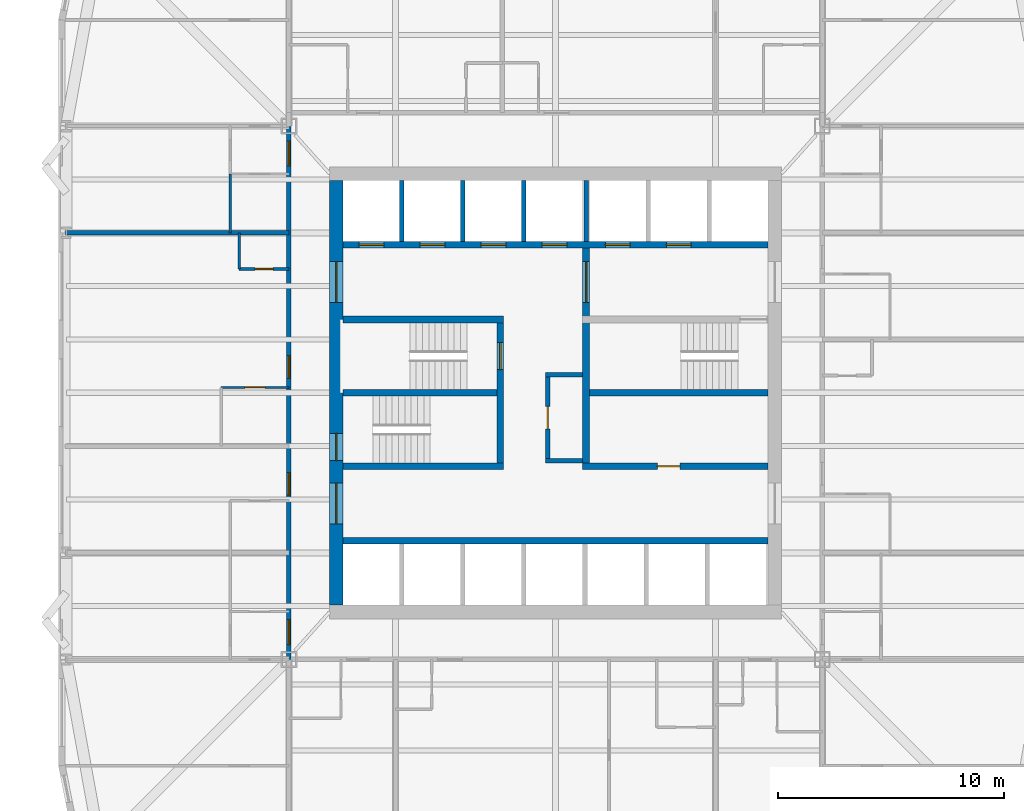
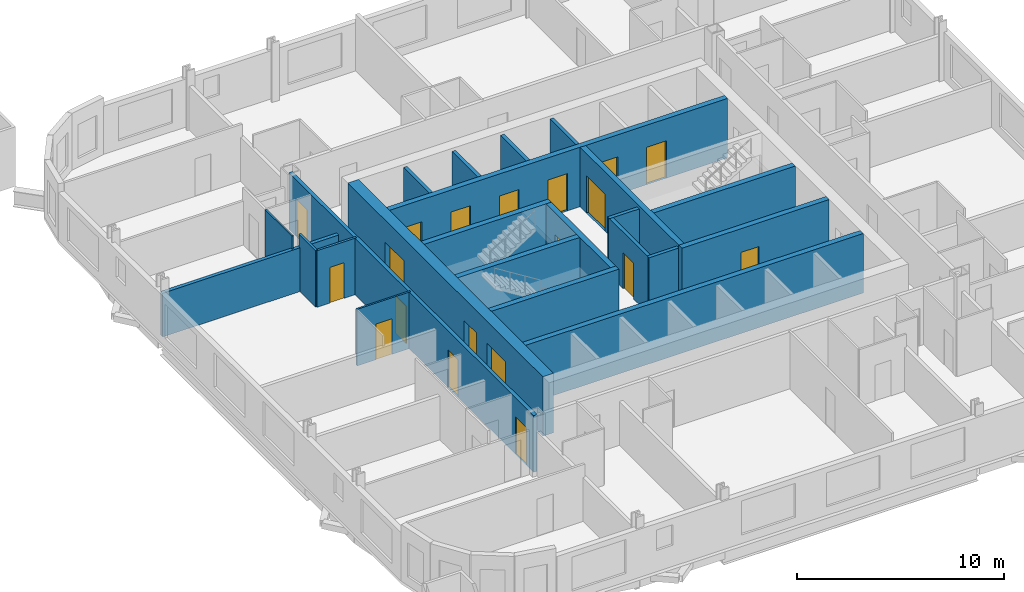
# One storey, part 4 of 9: 23 walls, 19 doors, 19 openings.
"""IFC4 building model written with IfcOpenShell, lengths in metres."""

import ifcopenshell
import ifcopenshell.guid

model = None  # the IFC model being written
_history = None  # IfcOwnerHistory: only IFC2X3 demands one
_inside = {}  # id of a spatial element -> (the spatial element, [elements in it])
_under = {}  # id of a project, library or spatial element -> (it, [spatial elements below it])
_declared = {}  # id of a project -> (the project, [libraries it declares])
_typed = {}  # id of a type object -> (the type object, [elements of that type])
_made_of = {}  # id of a material, layer set ... -> (it, [elements and type objects made of it])


def new_model(schema):
    """Start an empty IFC model of exactly this schema.

    Asked for "IFC4X3", IfcOpenShell would pick the latest addendum, in which some entities
    have other attributes; the version numbers below select the first issue.
    IFC2X3 requires an IfcOwnerHistory on every rooted entity: one is made here for all.
    """
    global model, _history
    if schema == "IFC4X3":
        model = ifcopenshell.file(schema_version=(4, 3, 0, 0))
    else:
        model = ifcopenshell.file(schema=schema)
    _inside.clear()
    _under.clear()
    _declared.clear()
    _typed.clear()
    _made_of.clear()
    _history = None
    if model.schema == "IFC2X3":
        org = make("IfcOrganization", Name="unknown")
        user = make(
            "IfcPersonAndOrganization",
            ThePerson=make("IfcPerson", FamilyName="unknown"),
            TheOrganization=org,
        )
        app = make(
            "IfcApplication",
            ApplicationDeveloper=org,
            Version="unknown",
            ApplicationFullName="unknown",
            ApplicationIdentifier="unknown",
        )
        _history = make(
            "IfcOwnerHistory",
            OwningUser=user,
            OwningApplication=app,
            ChangeAction="ADDED",
            CreationDate=0,
        )
    return model


def make(cls, **values):
    """One entity of the class cls with the attributes given. An attribute that is None is left unset."""
    return model.create_entity(
        cls, **{name: value for name, value in values.items() if value is not None}
    )


def rooted(cls, **values):
    """An entity with a GlobalId (a new one), such as an element, a storey or a relation."""
    return make(cls, GlobalId=ifcopenshell.guid.new(), OwnerHistory=_history, **values)


def si_unit(unit_type, name, prefix=None):
    """IfcSIUnit, for example si_unit("LENGTHUNIT", "METRE", prefix="MILLI")."""
    return make("IfcSIUnit", UnitType=unit_type, Prefix=prefix, Name=name)


def assignment(units):
    """IfcUnitAssignment: the units of a project."""
    return None if units is None else make("IfcUnitAssignment", Units=units)


def point(xyz):
    """IfcCartesianPoint."""
    return None if xyz is None else make("IfcCartesianPoint", Coordinates=xyz)


def direction(xyz):
    """IfcDirection."""
    return None if xyz is None else make("IfcDirection", DirectionRatios=xyz)


def frame(location, z_axis=None, x_axis=None):
    """IfcAxis2Placement3D, a coordinate frame: its origin and axes. An axis left out is left unset."""
    return make(
        "IfcAxis2Placement3D",
        Location=point(location),
        Axis=direction(z_axis),
        RefDirection=direction(x_axis),
    )


def frame_2d(location, x_axis=None):
    """IfcAxis2Placement2D, a coordinate frame in the plane: its origin and x axis."""
    return make(
        "IfcAxis2Placement2D", Location=point(location), RefDirection=direction(x_axis)
    )


def origin():
    """The frame at (0, 0, 0) with its axes left unset."""
    return frame((0.0, 0.0, 0.0))


def place(relative_to, where):
    """IfcLocalPlacement: puts the frame where relative to a parent placement (None: the world)."""
    return make(
        "IfcLocalPlacement", PlacementRelTo=relative_to, RelativePlacement=where
    )


def context(
    kind, dimensions, precision=None, world=None, true_north=None, identifier=None
):
    """IfcGeometricRepresentationContext, for example the 3D "Model" context."""
    return make(
        "IfcGeometricRepresentationContext",
        ContextIdentifier=identifier,
        ContextType=kind,
        CoordinateSpaceDimension=dimensions,
        Precision=precision,
        WorldCoordinateSystem=world,
        TrueNorth=true_north,
    )


def subcontext(parent, identifier, kind, view, scale=None):
    """IfcGeometricRepresentationSubContext, for example "Body" below "Model"."""
    return make(
        "IfcGeometricRepresentationSubContext",
        ContextIdentifier=identifier,
        ContextType=kind,
        ParentContext=parent,
        TargetScale=scale,
        TargetView=view,
    )


def project(units=None, contexts=None):
    """IfcProject with its units and contexts."""
    return rooted(
        "IfcProject",
        Name="project",
        RepresentationContexts=contexts,
        UnitsInContext=assignment(units),
    )


def spatial(cls, under=None, at=None, **own):
    """A site, building, storey or space (cls), placed at a placement, below another one or the project."""
    s = rooted(cls, ObjectPlacement=at, **own)
    if under is not None:
        _under.setdefault(under.id(), (under, []))[1].append(s)
    return s


def profile(cls, at=None, kind="AREA", **sizes):
    """A parametric profile (cls). Its sizes go by their IFC names, for example OverallWidth=200.0."""
    return make(cls, ProfileType=kind, Position=at, **sizes)


def rectangle(**sizes):
    """IfcRectangleProfileDef."""
    return profile("IfcRectangleProfileDef", **sizes)


def extrude(swept, where, along, depth):
    """IfcExtrudedAreaSolid: the profile swept, set in the frame where, extruded along a direction by depth."""
    return make(
        "IfcExtrudedAreaSolid",
        SweptArea=swept,
        Position=where,
        ExtrudedDirection=direction(along),
        Depth=depth,
    )


def shape(context_of_items, identifier, shape_type, items):
    """IfcShapeRepresentation: the items that make up one representation, for example the "Body"."""
    return make(
        "IfcShapeRepresentation",
        ContextOfItems=context_of_items,
        RepresentationIdentifier=identifier,
        RepresentationType=shape_type,
        Items=items,
    )


def material(Name=None, Category=None):
    """IfcMaterial."""
    return make("IfcMaterial", Name=Name, Category=Category)


def layer(
    of_material, thickness, ventilated=None, Name=None, Category=None, Priority=None
):
    """IfcMaterialLayer: one layer of a wall or slab, of a material (None: an air gap)."""
    return make(
        "IfcMaterialLayer",
        Material=of_material,
        LayerThickness=thickness,
        IsVentilated=ventilated,
        Name=Name,
        Category=Category,
        Priority=Priority,
    )


def layer_set(layers, Name=None):
    """IfcMaterialLayerSet."""
    return make("IfcMaterialLayerSet", MaterialLayers=layers, LayerSetName=Name)


def made_of(thing, what):
    """Note that an element or type object is made of a material, layer set ...; save() writes the relation."""
    if what is not None:
        _made_of.setdefault(what.id(), (what, []))[1].append(thing)
    return thing


def type_object(cls, material=None, **own):
    """A type object (cls), such as IfcWallType, which elements share."""
    return made_of(rooted(cls, **own), material)


def element(
    cls,
    number,
    at=None,
    inside=None,
    cuts=None,
    type_object=None,
    material=None,
    context=None,
    identifier="Body",
    shape_type=None,
    held_by="IfcProductDefinitionShape",
    body=None,
    shapes=None,
    **own,
):
    """One element of the class cls, such as IfcWall. Its Tag is "e" and its number.

    at: its placement. inside: the storey or other place that contains it. cuts: it is an
    opening in that element (IfcRelVoidsElement). A single representation is given by context,
    identifier, shape_type and body (its items); several are given by shapes. held_by: the class
    of the entity that holds the representations. save() writes the other relations.
    """
    e = rooted(cls, Tag="e%d" % number, ObjectPlacement=at, **own)
    if body is not None:
        shapes = [shape(context, identifier, shape_type, body)]
    if shapes is not None:
        e.Representation = make(held_by, Representations=shapes)
    if inside is not None:
        _inside.setdefault(inside.id(), (inside, []))[1].append(e)
    if cuts is not None:
        rooted(
            "IfcRelVoidsElement", RelatingBuildingElement=cuts, RelatedOpeningElement=e
        )
    if type_object is not None:
        _typed.setdefault(type_object.id(), (type_object, []))[1].append(e)
    return made_of(e, material)


def fill(opening, filler):
    """IfcRelFillsElement: the door or window that sits in an opening."""
    return rooted(
        "IfcRelFillsElement",
        RelatingOpeningElement=opening,
        RelatedBuildingElement=filler,
    )


def aggregate(whole, parts):
    """IfcRelAggregates: a whole, such as a stair, and the parts it consists of."""
    return rooted("IfcRelAggregates", RelatingObject=whole, RelatedObjects=parts)


def save(model, path):
    """Write the relations noted so far, then the file.

    IfcRelAggregates (storeys below a building ...), IfcRelContainedInSpatialStructure (elements
    in a storey), IfcRelDefinesByType, IfcRelAssociatesMaterial and IfcRelDeclares: one each for
    every whole, place, type object, material and project.
    """
    for whole, parts in _under.values():
        aggregate(whole, parts)
    for where, things in _inside.values():
        rooted(
            "IfcRelContainedInSpatialStructure",
            RelatedElements=things,
            RelatingStructure=where,
        )
    for kind, things in _typed.values():
        rooted("IfcRelDefinesByType", RelatedObjects=things, RelatingType=kind)
    for what, things in _made_of.values():
        rooted("IfcRelAssociatesMaterial", RelatedObjects=things, RelatingMaterial=what)
    for by, libraries in _declared.values():
        rooted("IfcRelDeclares", RelatingContext=by, RelatedDefinitions=libraries)
    model.write(path)


model = new_model("IFC4")

# Units and contexts
model_context = context("Model", 3, precision=1e-05, world=origin(), true_north=direction((0.0, 1.0)))
body_context = subcontext(model_context, "Body", "Model", "MODEL_VIEW")
ifc_project = project(units=[si_unit("LENGTHUNIT", "METRE"), si_unit("AREAUNIT", "SQUARE_METRE"), si_unit("VOLUMEUNIT", "CUBIC_METRE"), si_unit("PLANEANGLEUNIT", "RADIAN"), si_unit("MASSUNIT", "GRAM", prefix="KILO")], contexts=[model_context])

# Site, building, storey
site_placement = place(None, origin())
site = spatial("IfcSite", under=ifc_project, at=site_placement, CompositionType="ELEMENT")
building_placement = place(site_placement, origin())
building = spatial("IfcBuilding", under=site, at=building_placement, Name="Turquesa Mirador Hotel Tower", CompositionType="ELEMENT")
storey_placement = place(building_placement, frame((0.0, 0.0, 42.5)))
storey = spatial("IfcBuildingStorey", under=building, at=storey_placement, Name="L10", CompositionType="ELEMENT", Elevation=42.5)

# Wall, opening, door
ifc_material_1 = material(Name="Gypsum board on steel studs", Category="steel")
ifc_layer_1 = layer(ifc_material_1, 0.10009765625)
ifc_layer_set_1 = layer_set([ifc_layer_1], Name="BATHROOM WALL 100")
wall_type_1 = type_object("IfcWallType", Name="BATHROOM WALL 100", PredefinedType="PARTITIONING", material=ifc_layer_set_1)
wall_1_placement = place(storey_placement, frame((40.199951171875, 45.239990234375, 0.0), z_axis=(0.0, 0.0, 1.0), x_axis=(1.0, 0.0, 0.0)))
wall_1 = element("IfcWall", 1, at=wall_1_placement, inside=storey, type_object=wall_type_1, Name="Partition L10 018", PredefinedType="PARTITIONING", context=body_context, shape_type="SweptSolid", body=[
    extrude(rectangle(XDim=3.0, YDim=0.10009765625, at=frame_2d((1.5, 0.0))), origin(), (0.0, 0.0, 1.0), 3.330078125),
])
opening_1_placement = place(wall_1_placement, frame((1.050048828125, 0.0, 0.0)))
opening_1 = element("IfcOpeningElement", 2, at=opening_1_placement, cuts=wall_1, Name="Opening D02", PredefinedType="OPENING", context=body_context, shape_type="SweptSolid", body=[
    extrude(rectangle(XDim=0.89990234375, YDim=2.10009765625, at=frame_2d((0.449951171875, 1.050048828125))), frame((0.0, 0.06005859375, 0.0), z_axis=(0.0, -1.0, 0.0), x_axis=(1.0, 0.0, 0.0)), (0.0, 0.0, 1.0), 0.1201171875),
])
ifc_material_2 = material(Name="Timber veneered door", Category="wood")
door_type_1 = type_object("IfcDoorType", Name="DOOR 900X2100 EN-SUITE", OperationType="SINGLE_SWING_RIGHT", PredefinedType="DOOR", material=ifc_material_2)
door_1_placement = place(opening_1_placement, origin())
door_1 = element("IfcDoor", 3, at=door_1_placement, inside=storey, type_object=door_type_1, Name="Door 1009B", OperationType="SINGLE_SWING_RIGHT", OverallHeight=2.10009765625, OverallWidth=0.89990234375, PredefinedType="DOOR", context=body_context, shape_type="SweptSolid", body=[
    extrude(rectangle(XDim=0.89990234375, YDim=2.10009765625, at=frame_2d((0.449951171875, 1.050048828125))), frame((0.0, 0.02490234375, 0.0), z_axis=(0.0, -1.0, 0.0), x_axis=(1.0, 0.0, 0.0)), (0.0, 0.0, 1.0), 0.050048828125),
])
fill(opening_1, door_1)

# Wall
wall_2_placement = place(storey_placement, frame((40.60009765625, 52.080078125, 0.0), z_axis=(0.0, 0.0, 1.0), x_axis=(0.0, 1.0, 0.0)))
element("IfcWall", 4, at=wall_2_placement, inside=storey, type_object=wall_type_1, Name="Partition L10 042", PredefinedType="PARTITIONING", context=body_context, shape_type="SweptSolid", body=[
    extrude(rectangle(XDim=2.599853515625, YDim=0.10009765625, at=frame_2d((1.2998046875, 0.0))), origin(), (0.0, 0.0, 1.0), 3.330078125),
])

# Wall, openings, doors
ifc_material_3 = material(Name="Concrete C50/60", Category="concrete")
ifc_layer_2 = layer(ifc_material_3, 0.300048828125)
ifc_layer_set_2 = layer_set([ifc_layer_2], Name="CORE INNER WALL 300")
wall_type_2 = type_object("IfcWallType", Name="CORE INNER WALL 300", PredefinedType="SHEAR", material=ifc_layer_set_2)
wall_3_placement = place(storey_placement, frame((45.60009765625, 51.550048828125, 0.0), z_axis=(0.0, 0.0, 1.0), x_axis=(1.0, 0.0, 0.0)))
wall_3 = element("IfcWall", 5, at=wall_3_placement, inside=storey, type_object=wall_type_2, Name="Core wall NL", PredefinedType="SHEAR", context=body_context, shape_type="SweptSolid", body=[
    extrude(rectangle(XDim=18.7998046875, YDim=0.300048828125, at=frame_2d((9.39990234375, 0.0))), origin(), (0.0, 0.0, 1.0), 3.5),
])
opening_2_placement = place(wall_3_placement, frame((0.699951171875, 0.0, 0.0)))
opening_2 = element("IfcOpeningElement", 6, at=opening_2_placement, cuts=wall_3, Name="Opening LD", PredefinedType="OPENING", context=body_context, shape_type="SweptSolid", body=[
    extrude(rectangle(XDim=1.10009765625, YDim=2.199951171875, at=frame_2d((0.550048828125, 1.10009765625))), frame((0.0, 0.159912109375, 0.0), z_axis=(0.0, -1.0, 0.0), x_axis=(1.0, 0.0, 0.0)), (0.0, 0.0, 1.0), 0.320068359375),
])
opening_3_placement = place(wall_3_placement, frame((3.39990234375, 0.0, 0.0)))
opening_3 = element("IfcOpeningElement", 7, at=opening_3_placement, cuts=wall_3, Name="Opening LD", PredefinedType="OPENING", context=body_context, shape_type="SweptSolid", body=[
    extrude(rectangle(XDim=1.10009765625, YDim=2.199951171875, at=frame_2d((0.550048828125, 1.10009765625))), frame((0.0, 0.159912109375, 0.0), z_axis=(0.0, -1.0, 0.0), x_axis=(1.0, 0.0, 0.0)), (0.0, 0.0, 1.0), 0.320068359375),
])
opening_4_placement = place(wall_3_placement, frame((6.10009765625, 0.0, 0.0)))
opening_4 = element("IfcOpeningElement", 8, at=opening_4_placement, cuts=wall_3, Name="Opening LD", PredefinedType="OPENING", context=body_context, shape_type="SweptSolid", body=[
    extrude(rectangle(XDim=1.10009765625, YDim=2.199951171875, at=frame_2d((0.550048828125, 1.10009765625))), frame((0.0, 0.159912109375, 0.0), z_axis=(0.0, -1.0, 0.0), x_axis=(1.0, 0.0, 0.0)), (0.0, 0.0, 1.0), 0.320068359375),
])
opening_5_placement = place(wall_3_placement, frame((8.800048828125, 0.0, 0.0)))
opening_5 = element("IfcOpeningElement", 9, at=opening_5_placement, cuts=wall_3, Name="Opening LD", PredefinedType="OPENING", context=body_context, shape_type="SweptSolid", body=[
    extrude(rectangle(XDim=1.10009765625, YDim=2.199951171875, at=frame_2d((0.550048828125, 1.10009765625))), frame((0.0, 0.159912109375, 0.0), z_axis=(0.0, -1.0, 0.0), x_axis=(1.0, 0.0, 0.0)), (0.0, 0.0, 1.0), 0.320068359375),
])
opening_6_placement = place(wall_3_placement, frame((11.60009765625, 0.0, 0.0)))
opening_6 = element("IfcOpeningElement", 10, at=opening_6_placement, cuts=wall_3, Name="Opening LD", PredefinedType="OPENING", context=body_context, shape_type="SweptSolid", body=[
    extrude(rectangle(XDim=1.10009765625, YDim=2.199951171875, at=frame_2d((0.550048828125, 1.10009765625))), frame((0.0, 0.159912109375, 0.0), z_axis=(0.0, -1.0, 0.0), x_axis=(1.0, 0.0, 0.0)), (0.0, 0.0, 1.0), 0.320068359375),
])
opening_7_placement = place(wall_3_placement, frame((14.300048828125, 0.0, 0.0)))
opening_7 = element("IfcOpeningElement", 11, at=opening_7_placement, cuts=wall_3, Name="Opening LD", PredefinedType="OPENING", context=body_context, shape_type="SweptSolid", body=[
    extrude(rectangle(XDim=1.10009765625, YDim=2.199951171875, at=frame_2d((0.550048828125, 1.10009765625))), frame((0.0, 0.159912109375, 0.0), z_axis=(0.0, -1.0, 0.0), x_axis=(1.0, 0.0, 0.0)), (0.0, 0.0, 1.0), 0.320068359375),
])
ifc_material_4 = material(Name="Stainless steel lift landing door", Category="steel")
door_type_2 = type_object("IfcDoorType", Name="LIFT LANDING DOOR 1100X2200", OperationType="SLIDING_TO_LEFT", PredefinedType="DOOR", material=ifc_material_4)
door_2_placement = place(opening_2_placement, origin())
door_2 = element("IfcDoor", 12, at=door_2_placement, inside=storey, type_object=door_type_2, Name="Lift A1 landing door", OperationType="SLIDING_TO_LEFT", OverallHeight=2.199951171875, OverallWidth=1.10009765625, PredefinedType="DOOR", context=body_context, shape_type="SweptSolid", body=[
    extrude(rectangle(XDim=1.10009765625, YDim=2.199951171875, at=frame_2d((0.550048828125, 1.10009765625))), frame((0.0, 0.02490234375, 0.0), z_axis=(0.0, -1.0, 0.0), x_axis=(1.0, 0.0, 0.0)), (0.0, 0.0, 1.0), 0.050048828125),
])
fill(opening_2, door_2)
door_3_placement = place(opening_3_placement, origin())
door_3 = element("IfcDoor", 13, at=door_3_placement, inside=storey, type_object=door_type_2, Name="Lift A2 landing door", OperationType="SLIDING_TO_LEFT", OverallHeight=2.199951171875, OverallWidth=1.10009765625, PredefinedType="DOOR", context=body_context, shape_type="SweptSolid", body=[
    extrude(rectangle(XDim=1.10009765625, YDim=2.199951171875, at=frame_2d((0.550048828125, 1.10009765625))), frame((0.0, 0.02490234375, 0.0), z_axis=(0.0, -1.0, 0.0), x_axis=(1.0, 0.0, 0.0)), (0.0, 0.0, 1.0), 0.050048828125),
])
fill(opening_3, door_3)
door_4_placement = place(opening_4_placement, origin())
door_4 = element("IfcDoor", 14, at=door_4_placement, inside=storey, type_object=door_type_2, Name="Lift A3 landing door", OperationType="SLIDING_TO_LEFT", OverallHeight=2.199951171875, OverallWidth=1.10009765625, PredefinedType="DOOR", context=body_context, shape_type="SweptSolid", body=[
    extrude(rectangle(XDim=1.10009765625, YDim=2.199951171875, at=frame_2d((0.550048828125, 1.10009765625))), frame((0.0, 0.02490234375, 0.0), z_axis=(0.0, -1.0, 0.0), x_axis=(1.0, 0.0, 0.0)), (0.0, 0.0, 1.0), 0.050048828125),
])
fill(opening_4, door_4)
door_5_placement = place(opening_5_placement, origin())
door_5 = element("IfcDoor", 15, at=door_5_placement, inside=storey, type_object=door_type_2, Name="Lift A4 landing door", OperationType="SLIDING_TO_LEFT", OverallHeight=2.199951171875, OverallWidth=1.10009765625, PredefinedType="DOOR", context=body_context, shape_type="SweptSolid", body=[
    extrude(rectangle(XDim=1.10009765625, YDim=2.199951171875, at=frame_2d((0.550048828125, 1.10009765625))), frame((0.0, 0.02490234375, 0.0), z_axis=(0.0, -1.0, 0.0), x_axis=(1.0, 0.0, 0.0)), (0.0, 0.0, 1.0), 0.050048828125),
])
fill(opening_5, door_5)
door_6_placement = place(opening_6_placement, origin())
door_6 = element("IfcDoor", 16, at=door_6_placement, inside=storey, type_object=door_type_2, Name="Lift S1 landing door", OperationType="SLIDING_TO_LEFT", OverallHeight=2.199951171875, OverallWidth=1.10009765625, PredefinedType="DOOR", context=body_context, shape_type="SweptSolid", body=[
    extrude(rectangle(XDim=1.10009765625, YDim=2.199951171875, at=frame_2d((0.550048828125, 1.10009765625))), frame((0.0, 0.02490234375, 0.0), z_axis=(0.0, -1.0, 0.0), x_axis=(1.0, 0.0, 0.0)), (0.0, 0.0, 1.0), 0.050048828125),
])
fill(opening_6, door_6)
door_7_placement = place(opening_7_placement, origin())
door_7 = element("IfcDoor", 17, at=door_7_placement, inside=storey, type_object=door_type_2, Name="Lift S2 landing door", OperationType="SLIDING_TO_LEFT", OverallHeight=2.199951171875, OverallWidth=1.10009765625, PredefinedType="DOOR", context=body_context, shape_type="SweptSolid", body=[
    extrude(rectangle(XDim=1.10009765625, YDim=2.199951171875, at=frame_2d((0.550048828125, 1.10009765625))), frame((0.0, 0.02490234375, 0.0), z_axis=(0.0, -1.0, 0.0), x_axis=(1.0, 0.0, 0.0)), (0.0, 0.0, 1.0), 0.050048828125),
])
fill(opening_7, door_7)

# Walls
wall_4_placement = place(storey_placement, frame((45.60009765625, 38.449951171875, 0.0), z_axis=(0.0, 0.0, 1.0), x_axis=(1.0, 0.0, 0.0)))
element("IfcWall", 18, at=wall_4_placement, inside=storey, type_object=wall_type_2, Name="Core wall SL", PredefinedType="SHEAR", context=body_context, shape_type="SweptSolid", body=[
    extrude(rectangle(XDim=18.7998046875, YDim=0.300048828125, at=frame_2d((9.39990234375, 0.0))), origin(), (0.0, 0.0, 1.0), 3.5),
])
for number, where, z_axis, x_axis, name in (
    (19, (45.60009765625, 48.25, 0.0), (0.0, 0.0, 1.0), (1.0, 0.0, 0.0), "Core wall MN-W"),
    (20, (45.60009765625, 41.75, 0.0), (0.0, 0.0, 1.0), (1.0, 0.0, 0.0), "Core wall MS-W"),
):
    element("IfcWall", number, at=place(storey_placement, frame(where, z_axis=z_axis, x_axis=x_axis)), inside=storey, type_object=wall_type_2, Name=name, PredefinedType="SHEAR", context=body_context, shape_type="SweptSolid", body=[
        extrude(rectangle(XDim=7.099853515625, YDim=0.300048828125, at=frame_2d((3.5498046875, 0.0))), origin(), (0.0, 0.0, 1.0), 3.5),
    ])

# Wall, opening, door
wall_5_placement = place(storey_placement, frame((56.199951171875, 41.75, 0.0), z_axis=(0.0, 0.0, 1.0), x_axis=(1.0, 0.0, 0.0)))
wall_5 = element("IfcWall", 21, at=wall_5_placement, inside=storey, type_object=wall_type_2, Name="Core wall MS-E", PredefinedType="SHEAR", context=body_context, shape_type="SweptSolid", body=[
    extrude(rectangle(XDim=8.199951171875, YDim=0.300048828125, at=frame_2d((4.10009765625, 0.0))), origin(), (0.0, 0.0, 1.0), 3.5),
])
opening_8_placement = place(wall_5_placement, frame((3.300048828125, 0.0, 0.0)))
opening_8 = element("IfcOpeningElement", 22, at=opening_8_placement, cuts=wall_5, Name="Opening D05", PredefinedType="OPENING", context=body_context, shape_type="SweptSolid", body=[
    extrude(rectangle(XDim=1.0, YDim=2.10009765625, at=frame_2d((0.5, 1.050048828125))), frame((0.0, 0.159912109375, 0.0), z_axis=(0.0, -1.0, 0.0), x_axis=(1.0, 0.0, 0.0)), (0.0, 0.0, 1.0), 0.320068359375),
])
ifc_material_5 = material(Name="Steel fire door", Category="steel")
door_type_3 = type_object("IfcDoorType", Name="DOOR 1000X2100 SERVICE", OperationType="SINGLE_SWING_LEFT", PredefinedType="DOOR", material=ifc_material_5)
door_8_placement = place(opening_8_placement, origin())
door_8 = element("IfcDoor", 23, at=door_8_placement, inside=storey, type_object=door_type_3, Name="Housekeeping room door", OperationType="SINGLE_SWING_LEFT", OverallHeight=2.10009765625, OverallWidth=1.0, PredefinedType="DOOR", context=body_context, shape_type="SweptSolid", body=[
    extrude(rectangle(XDim=1.0, YDim=2.10009765625, at=frame_2d((0.5, 1.050048828125))), frame((0.0, 0.02490234375, 0.0), z_axis=(0.0, -1.0, 0.0), x_axis=(1.0, 0.0, 0.0)), (0.0, 0.0, 1.0), 0.050048828125),
])
fill(opening_8, door_8)

wall_6_placement = place(storey_placement, frame((52.550048828125, 41.89990234375, 0.0), z_axis=(0.0, 0.0, 1.0), x_axis=(0.0, 1.0, 0.0)))
wall_6 = element("IfcWall", 24, at=wall_6_placement, inside=storey, type_object=wall_type_2, Name="Core wall PW", PredefinedType="SHEAR", context=body_context, shape_type="SweptSolid", body=[
    extrude(rectangle(XDim=6.2001953125, YDim=0.300048828125, at=frame_2d((3.10009765625, 0.0))), origin(), (0.0, 0.0, 1.0), 3.5),
])
opening_9_placement = place(wall_6_placement, frame((4.125, 0.0, 0.0)))
opening_9 = element("IfcOpeningElement", 25, at=opening_9_placement, cuts=wall_6, Name="Opening D03", PredefinedType="OPENING", context=body_context, shape_type="SweptSolid", body=[
    extrude(rectangle(XDim=1.199951171875, YDim=2.199951171875, at=frame_2d((0.60009765625, 1.10009765625))), frame((0.0, 0.159912109375, 0.0), z_axis=(0.0, -1.0, 0.0), x_axis=(1.0, 0.0, 0.0)), (0.0, 0.0, 1.0), 0.320068359375),
])
ifc_material_6 = material(Name="Steel fire door", Category="steel")
door_type_4 = type_object("IfcDoorType", Name="DOOR 1200X2200 STAIR", OperationType="SINGLE_SWING_LEFT", PredefinedType="DOOR", material=ifc_material_6)
door_9_placement = place(opening_9_placement, origin())
door_9 = element("IfcDoor", 26, at=door_9_placement, inside=storey, type_object=door_type_4, Name="Stair ST1 door", OperationType="SINGLE_SWING_LEFT", OverallHeight=2.199951171875, OverallWidth=1.199951171875, PredefinedType="DOOR", context=body_context, shape_type="SweptSolid", body=[
    extrude(rectangle(XDim=1.199951171875, YDim=2.199951171875, at=frame_2d((0.60009765625, 1.10009765625))), frame((0.0, 0.02490234375, 0.0), z_axis=(0.0, -1.0, 0.0), x_axis=(1.0, 0.0, 0.0)), (0.0, 0.0, 1.0), 0.050048828125),
])
fill(opening_9, door_9)

wall_7_placement = place(storey_placement, frame((56.35009765625, 41.89990234375, 0.0), z_axis=(0.0, 0.0, 1.0), x_axis=(0.0, 1.0, 0.0)))
wall_7 = element("IfcWall", 27, at=wall_7_placement, inside=storey, type_object=wall_type_2, Name="Core wall PE", PredefinedType="SHEAR", context=body_context, shape_type="SweptSolid", body=[
    extrude(rectangle(XDim=9.5, YDim=0.300048828125, at=frame_2d((4.75, 0.0))), origin(), (0.0, 0.0, 1.0), 3.5),
])
opening_10_placement = place(wall_7_placement, frame((7.10009765625, 0.0, 0.0)))
opening_10 = element("IfcOpeningElement", 28, at=opening_10_placement, cuts=wall_7, Name="Opening D04", PredefinedType="OPENING", context=body_context, shape_type="SweptSolid", body=[
    extrude(rectangle(XDim=1.800048828125, YDim=2.199951171875, at=frame_2d((0.89990234375, 1.10009765625))), frame((0.0, 0.159912109375, 0.0), z_axis=(0.0, -1.0, 0.0), x_axis=(1.0, 0.0, 0.0)), (0.0, 0.0, 1.0), 0.320068359375),
])
ifc_material_7 = material(Name="Steel fire door pair", Category="steel")
door_type_5 = type_object("IfcDoorType", Name="DOOR 1800X2200 PAIR", OperationType="DOUBLE_DOOR_SINGLE_SWING", PredefinedType="DOOR", material=ifc_material_7)
door_10_placement = place(opening_10_placement, origin())
door_10 = element("IfcDoor", 29, at=door_10_placement, inside=storey, type_object=door_type_5, Name="Firefighting lobby inner door", OperationType="DOUBLE_DOOR_SINGLE_SWING", OverallHeight=2.199951171875, OverallWidth=1.800048828125, PredefinedType="DOOR", context=body_context, shape_type="SweptSolid", body=[
    extrude(rectangle(XDim=1.800048828125, YDim=2.199951171875, at=frame_2d((0.89990234375, 1.10009765625))), frame((0.0, 0.02490234375, 0.0), z_axis=(0.0, -1.0, 0.0), x_axis=(1.0, 0.0, 0.0)), (0.0, 0.0, 1.0), 0.050048828125),
])
fill(opening_10, door_10)

# Walls
wall_8_placement = place(storey_placement, frame((45.60009765625, 45.0, 0.0), z_axis=(0.0, 0.0, 1.0), x_axis=(1.0, 0.0, 0.0)))
element("IfcWall", 30, at=wall_8_placement, inside=storey, type_object=wall_type_2, Name="Core wall M0-W", PredefinedType="SHEAR", context=body_context, shape_type="SweptSolid", body=[
    extrude(rectangle(XDim=6.7998046875, YDim=0.300048828125, at=frame_2d((3.39990234375, 0.0))), origin(), (0.0, 0.0, 1.0), 3.5),
])
wall_9_placement = place(storey_placement, frame((56.5, 45.0, 0.0), z_axis=(0.0, 0.0, 1.0), x_axis=(1.0, 0.0, 0.0)))
element("IfcWall", 31, at=wall_9_placement, inside=storey, type_object=wall_type_2, Name="Core wall M0-E", PredefinedType="SHEAR", context=body_context, shape_type="SweptSolid", body=[
    extrude(rectangle(XDim=7.89990234375, YDim=0.300048828125, at=frame_2d((3.949951171875, 0.0))), origin(), (0.0, 0.0, 1.0), 3.5),
])

# Wall, openings, doors
ifc_material_8 = material(Name="Concrete C50/60", Category="concrete")
ifc_layer_3 = layer(ifc_material_8, 0.60009765625)
ifc_layer_set_3 = layer_set([ifc_layer_3], Name="CORE WALL 600")
wall_type_3 = type_object("IfcWallType", Name="CORE WALL 600", PredefinedType="SHEAR", material=ifc_layer_set_3)
wall_10_placement = place(storey_placement, frame((45.300048828125, 35.60009765625, 0.0), z_axis=(0.0, 0.0, 1.0), x_axis=(0.0, 1.0, 0.0)))
wall_10 = element("IfcWall", 32, at=wall_10_placement, inside=storey, type_object=wall_type_3, Name="Core wall W", PredefinedType="SHEAR", context=body_context, shape_type="SweptSolid", body=[
    extrude(rectangle(XDim=18.7998046875, YDim=0.60009765625, at=frame_2d((9.39990234375, 0.0))), origin(), (0.0, 0.0, 1.0), 3.5),
])
opening_11_placement = place(wall_10_placement, frame((13.39990234375, 0.0, 0.0)))
opening_11 = element("IfcOpeningElement", 33, at=opening_11_placement, cuts=wall_10, Name="Opening D04", PredefinedType="OPENING", context=body_context, shape_type="SweptSolid", body=[
    extrude(rectangle(XDim=1.800048828125, YDim=2.199951171875, at=frame_2d((0.89990234375, 1.10009765625))), frame((0.0, 0.31005859375, 0.0), z_axis=(0.0, -1.0, 0.0), x_axis=(1.0, 0.0, 0.0)), (0.0, 0.0, 1.0), 0.6201171875),
])
opening_12_placement = place(wall_10_placement, frame((3.60009765625, 0.0, 0.0)))
opening_12 = element("IfcOpeningElement", 34, at=opening_12_placement, cuts=wall_10, Name="Opening D04", PredefinedType="OPENING", context=body_context, shape_type="SweptSolid", body=[
    extrude(rectangle(XDim=1.800048828125, YDim=2.199951171875, at=frame_2d((0.89990234375, 1.10009765625))), frame((0.0, 0.31005859375, 0.0), z_axis=(0.0, -1.0, 0.0), x_axis=(1.0, 0.0, 0.0)), (0.0, 0.0, 1.0), 0.6201171875),
])
opening_13_placement = place(wall_10_placement, frame((6.39990234375, 0.0, 0.0)))
opening_13 = element("IfcOpeningElement", 35, at=opening_13_placement, cuts=wall_10, Name="Opening D03", PredefinedType="OPENING", context=body_context, shape_type="SweptSolid", body=[
    extrude(rectangle(XDim=1.199951171875, YDim=2.199951171875, at=frame_2d((0.60009765625, 1.10009765625))), frame((0.0, 0.31005859375, 0.0), z_axis=(0.0, -1.0, 0.0), x_axis=(1.0, 0.0, 0.0)), (0.0, 0.0, 1.0), 0.6201171875),
])
door_11_placement = place(opening_13_placement, origin())
door_11 = element("IfcDoor", 36, at=door_11_placement, inside=storey, type_object=door_type_4, Name="Stair ST2 door", OperationType="SINGLE_SWING_LEFT", OverallHeight=2.199951171875, OverallWidth=1.199951171875, PredefinedType="DOOR", context=body_context, shape_type="SweptSolid", body=[
    extrude(rectangle(XDim=1.199951171875, YDim=2.199951171875, at=frame_2d((0.60009765625, 1.10009765625))), frame((0.0, 0.02490234375, 0.0), z_axis=(0.0, -1.0, 0.0), x_axis=(1.0, 0.0, 0.0)), (0.0, 0.0, 1.0), 0.050048828125),
])
fill(opening_13, door_11)
door_12_placement = place(opening_11_placement, origin())
door_12 = element("IfcDoor", 37, at=door_12_placement, inside=storey, type_object=door_type_5, Name="North lift lobby door", OperationType="DOUBLE_DOOR_SINGLE_SWING", OverallHeight=2.199951171875, OverallWidth=1.800048828125, PredefinedType="DOOR", context=body_context, shape_type="SweptSolid", body=[
    extrude(rectangle(XDim=1.800048828125, YDim=2.199951171875, at=frame_2d((0.89990234375, 1.10009765625))), frame((0.0, 0.02490234375, 0.0), z_axis=(0.0, -1.0, 0.0), x_axis=(1.0, 0.0, 0.0)), (0.0, 0.0, 1.0), 0.050048828125),
])
fill(opening_11, door_12)
door_13_placement = place(opening_12_placement, origin())
door_13 = element("IfcDoor", 38, at=door_13_placement, inside=storey, type_object=door_type_5, Name="South lift lobby door", OperationType="DOUBLE_DOOR_SINGLE_SWING", OverallHeight=2.199951171875, OverallWidth=1.800048828125, PredefinedType="DOOR", context=body_context, shape_type="SweptSolid", body=[
    extrude(rectangle(XDim=1.800048828125, YDim=2.199951171875, at=frame_2d((0.89990234375, 1.10009765625))), frame((0.0, 0.02490234375, 0.0), z_axis=(0.0, -1.0, 0.0), x_axis=(1.0, 0.0, 0.0)), (0.0, 0.0, 1.0), 0.050048828125),
])
fill(opening_12, door_13)

ifc_material_9 = material(Name="Fire-rated gypsum board on steel studs", Category="steel")
ifc_layer_4 = layer(ifc_material_9, 0.199951171875)
ifc_layer_set_4 = layer_set([ifc_layer_4], Name="CORRIDOR WALL 200")
wall_type_4 = type_object("IfcWallType", Name="CORRIDOR WALL 200", PredefinedType="PARTITIONING", material=ifc_layer_set_4)
wall_11_placement = place(storey_placement, frame((43.199951171875, 33.199951171875, 0.0), z_axis=(0.0, 0.0, 1.0), x_axis=(0.0, 1.0, 0.0)))
wall_11 = element("IfcWall", 39, at=wall_11_placement, inside=storey, type_object=wall_type_4, Name="Partition L10 037", PredefinedType="PARTITIONING", context=body_context, shape_type="SweptSolid", body=[
    extrude(rectangle(XDim=23.580078125, YDim=0.199951171875, at=frame_2d((11.7900390625, 0.0))), origin(), (0.0, 0.0, 1.0), 3.330078125),
])
opening_14_placement = place(wall_11_placement, frame((7.27001953125, 0.0, 0.0)))
opening_14 = element("IfcOpeningElement", 40, at=opening_14_placement, cuts=wall_11, Name="Opening D01", PredefinedType="OPENING", context=body_context, shape_type="SweptSolid", body=[
    extrude(rectangle(XDim=1.0, YDim=2.199951171875, at=frame_2d((0.5, 1.10009765625))), frame((0.0, 0.10986328125, 0.0), z_axis=(0.0, -1.0, 0.0), x_axis=(1.0, 0.0, 0.0)), (0.0, 0.0, 1.0), 0.219970703125),
])
opening_15_placement = place(wall_11_placement, frame((12.43994140625, 0.0, 0.0)))
opening_15 = element("IfcOpeningElement", 41, at=opening_15_placement, cuts=wall_11, Name="Opening D01", PredefinedType="OPENING", context=body_context, shape_type="SweptSolid", body=[
    extrude(rectangle(XDim=1.0, YDim=2.199951171875, at=frame_2d((0.5, 1.10009765625))), frame((0.0, 0.10986328125, 0.0), z_axis=(0.0, -1.0, 0.0), x_axis=(1.0, 0.0, 0.0)), (0.0, 0.0, 1.0), 0.219970703125),
])
opening_16_placement = place(wall_11_placement, frame((21.840087890625, 0.0, 0.0)))
opening_16 = element("IfcOpeningElement", 42, at=opening_16_placement, cuts=wall_11, Name="Opening D15", PredefinedType="OPENING", context=body_context, shape_type="SweptSolid", body=[
    extrude(rectangle(XDim=1.10009765625, YDim=2.199951171875, at=frame_2d((0.550048828125, 1.10009765625))), frame((0.0, 0.10986328125, 0.0), z_axis=(0.0, -1.0, 0.0), x_axis=(1.0, 0.0, 0.0)), (0.0, 0.0, 1.0), 0.219970703125),
])
opening_17_placement = place(wall_11_placement, frame((0.659912109375, 0.0, 0.0)))
opening_17 = element("IfcOpeningElement", 43, at=opening_17_placement, cuts=wall_11, Name="Opening D15", PredefinedType="OPENING", context=body_context, shape_type="SweptSolid", body=[
    extrude(rectangle(XDim=1.10009765625, YDim=2.199951171875, at=frame_2d((0.550048828125, 1.10009765625))), frame((0.0, 0.10986328125, 0.0), z_axis=(0.0, -1.0, 0.0), x_axis=(1.0, 0.0, 0.0)), (0.0, 0.0, 1.0), 0.219970703125),
])
ifc_material_10 = material(Name="Timber veneered fire door", Category="wood")
door_type_6 = type_object("IfcDoorType", Name="DOOR 1000X2200 GUEST ENTRY", OperationType="SINGLE_SWING_LEFT", PredefinedType="DOOR", material=ifc_material_10)
door_14_placement = place(opening_14_placement, origin())
door_14 = element("IfcDoor", 44, at=door_14_placement, inside=storey, type_object=door_type_6, Name="Door 1008", OperationType="SINGLE_SWING_LEFT", OverallHeight=2.199951171875, OverallWidth=1.0, PredefinedType="DOOR", context=body_context, shape_type="SweptSolid", body=[
    extrude(rectangle(XDim=1.0, YDim=2.199951171875, at=frame_2d((0.5, 1.10009765625))), frame((0.0, 0.02490234375, 0.0), z_axis=(0.0, -1.0, 0.0), x_axis=(1.0, 0.0, 0.0)), (0.0, 0.0, 1.0), 0.050048828125),
])
fill(opening_14, door_14)
door_15_placement = place(opening_15_placement, origin())
door_15 = element("IfcDoor", 45, at=door_15_placement, inside=storey, type_object=door_type_6, Name="Door 1009", OperationType="SINGLE_SWING_LEFT", OverallHeight=2.199951171875, OverallWidth=1.0, PredefinedType="DOOR", context=body_context, shape_type="SweptSolid", body=[
    extrude(rectangle(XDim=1.0, YDim=2.199951171875, at=frame_2d((0.5, 1.10009765625))), frame((0.0, 0.02490234375, 0.0), z_axis=(0.0, -1.0, 0.0), x_axis=(1.0, 0.0, 0.0)), (0.0, 0.0, 1.0), 0.050048828125),
])
fill(opening_15, door_15)
ifc_material_11 = material(Name="Timber veneered fire door", Category="wood")
door_type_7 = type_object("IfcDoorType", Name="DOOR 1100X2200 SUITE ENTRY", OperationType="SINGLE_SWING_LEFT", PredefinedType="DOOR", material=ifc_material_11)
door_16_placement = place(opening_16_placement, origin())
door_16 = element("IfcDoor", 46, at=door_16_placement, inside=storey, type_object=door_type_7, Name="Door 1011H", OperationType="SINGLE_SWING_LEFT", OverallHeight=2.199951171875, OverallWidth=1.10009765625, PredefinedType="DOOR", context=body_context, shape_type="SweptSolid", body=[
    extrude(rectangle(XDim=1.10009765625, YDim=2.199951171875, at=frame_2d((0.550048828125, 1.10009765625))), frame((0.0, 0.02490234375, 0.0), z_axis=(0.0, -1.0, 0.0), x_axis=(1.0, 0.0, 0.0)), (0.0, 0.0, 1.0), 0.050048828125),
])
fill(opening_16, door_16)
door_17_placement = place(opening_17_placement, origin())
door_17 = element("IfcDoor", 47, at=door_17_placement, inside=storey, type_object=door_type_7, Name="Door 1012H", OperationType="SINGLE_SWING_LEFT", OverallHeight=2.199951171875, OverallWidth=1.10009765625, PredefinedType="DOOR", context=body_context, shape_type="SweptSolid", body=[
    extrude(rectangle(XDim=1.10009765625, YDim=2.199951171875, at=frame_2d((0.550048828125, 1.10009765625))), frame((0.0, 0.02490234375, 0.0), z_axis=(0.0, -1.0, 0.0), x_axis=(1.0, 0.0, 0.0)), (0.0, 0.0, 1.0), 0.050048828125),
])
fill(opening_17, door_17)

# Wall, opening, door
ifc_material_12 = material(Name="Fire-rated gypsum board on steel studs", Category="steel")
ifc_layer_5 = layer(ifc_material_12, 0.199951171875)
ifc_layer_set_5 = layer_set([ifc_layer_5], Name="FIRE PARTITION 200")
wall_type_5 = type_object("IfcWallType", Name="FIRE PARTITION 200", PredefinedType="PARTITIONING", material=ifc_layer_set_5)
wall_12_placement = place(storey_placement, frame((54.64990234375, 42.0, 0.0), z_axis=(0.0, 0.0, 1.0), x_axis=(0.0, 1.0, 0.0)))
wall_12 = element("IfcWall", 48, at=wall_12_placement, inside=storey, type_object=wall_type_5, Name="Partition L10 RR W", PredefinedType="PARTITIONING", context=body_context, shape_type="SweptSolid", body=[
    extrude(rectangle(XDim=3.800048828125, YDim=0.199951171875, at=frame_2d((1.89990234375, 0.0))), origin(), (0.0, 0.0, 1.0), 3.330078125),
])
opening_18_placement = place(wall_12_placement, frame((1.39990234375, 0.0, 0.0)))
opening_18 = element("IfcOpeningElement", 49, at=opening_18_placement, cuts=wall_12, Name="Opening D05", PredefinedType="OPENING", context=body_context, shape_type="SweptSolid", body=[
    extrude(rectangle(XDim=1.0, YDim=2.10009765625, at=frame_2d((0.5, 1.050048828125))), frame((0.0, 0.10986328125, 0.0), z_axis=(0.0, -1.0, 0.0), x_axis=(1.0, 0.0, 0.0)), (0.0, 0.0, 1.0), 0.219970703125),
])
door_18_placement = place(opening_18_placement, origin())
door_18 = element("IfcDoor", 50, at=door_18_placement, inside=storey, type_object=door_type_3, Name="Staff rest room door", OperationType="SINGLE_SWING_LEFT", OverallHeight=2.10009765625, OverallWidth=1.0, PredefinedType="DOOR", context=body_context, shape_type="SweptSolid", body=[
    extrude(rectangle(XDim=1.0, YDim=2.10009765625, at=frame_2d((0.5, 1.050048828125))), frame((0.0, 0.02490234375, 0.0), z_axis=(0.0, -1.0, 0.0), x_axis=(1.0, 0.0, 0.0)), (0.0, 0.0, 1.0), 0.050048828125),
])
fill(opening_18, door_18)

# Walls
for number, where, z_axis, x_axis, name in (
    (51, (54.550048828125, 42.0, 0.0), (0.0, 0.0, 1.0), (1.0, 0.0, 0.0), "Partition L10 RR S"),
    (52, (54.550048828125, 45.800048828125, 0.0), (0.0, 0.0, 1.0), (1.0, 0.0, 0.0), "Partition L10 RR N"),
):
    element("IfcWall", number, at=place(storey_placement, frame(where, z_axis=z_axis, x_axis=x_axis)), inside=storey, type_object=wall_type_5, Name=name, PredefinedType="PARTITIONING", context=body_context, shape_type="SweptSolid", body=[
        extrude(rectangle(XDim=1.64990234375, YDim=0.199951171875, at=frame_2d((0.824951171875, 0.0))), origin(), (0.0, 0.0, 1.0), 3.330078125),
    ])
ifc_material_13 = material(Name="Fire-rated gypsum shaft wall on steel studs", Category="steel")
ifc_layer_6 = layer(ifc_material_13, 0.199951171875)
ifc_layer_set_6 = layer_set([ifc_layer_6], Name="LIFT SHAFT DIVIDER 200")
wall_type_6 = type_object("IfcWallType", Name="LIFT SHAFT DIVIDER 200", PredefinedType="PARTITIONING", material=ifc_layer_set_6)
for number, where, z_axis, x_axis, name in (
    (53, (48.199951171875, 51.699951171875, 0.0), (0.0, 0.0, 1.0), (0.0, 1.0, 0.0), "Lift shaft divider"),
    (54, (50.89990234375, 51.699951171875, 0.0), (0.0, 0.0, 1.0), (0.0, 1.0, 0.0), "Lift shaft divider"),
    (55, (53.60009765625, 51.699951171875, 0.0), (0.0, 0.0, 1.0), (0.0, 1.0, 0.0), "Lift shaft divider"),
    (56, (56.35009765625, 51.699951171875, 0.0), (0.0, 0.0, 1.0), (0.0, 1.0, 0.0), "Lift shaft divider"),
):
    element("IfcWall", number, at=place(storey_placement, frame(where, z_axis=z_axis, x_axis=x_axis)), inside=storey, type_object=wall_type_6, Name=name, PredefinedType="PARTITIONING", context=body_context, shape_type="SweptSolid", body=[
        extrude(rectangle(XDim=2.699951171875, YDim=0.199951171875, at=frame_2d((1.35009765625, 0.0))), origin(), (0.0, 0.0, 1.0), 3.330078125),
    ])
ifc_material_14 = material(Name="Fire-rated gypsum board on steel studs", Category="steel")
ifc_layer_7 = layer(ifc_material_14, 0.199951171875)
ifc_layer_set_7 = layer_set([ifc_layer_7], Name="PARTY WALL 200")
wall_type_7 = type_object("IfcWallType", Name="PARTY WALL 200", PredefinedType="PARTITIONING", material=ifc_layer_set_7)
wall_13_placement = place(storey_placement, frame((33.300048828125, 52.080078125, 0.0), z_axis=(0.0, 0.0, 1.0), x_axis=(1.0, 0.0, 0.0)))
element("IfcWall", 57, at=wall_13_placement, inside=storey, type_object=wall_type_7, Name="Partition L10 032", PredefinedType="PARTITIONING", context=body_context, shape_type="SweptSolid", body=[
    extrude(rectangle(XDim=9.89990234375, YDim=0.199951171875, at=frame_2d((4.949951171875, 0.0))), origin(), (0.0, 0.0, 1.0), 2.572998046875),
])

# Wall, opening, door
ifc_material_15 = material(Name="Acoustic gypsum board on steel studs", Category="steel")
ifc_layer_8 = layer(ifc_material_15, 0.125)
ifc_layer_set_8 = layer_set([ifc_layer_8], Name="SUITE PARTITION 125")
wall_type_8 = type_object("IfcWallType", Name="SUITE PARTITION 125", PredefinedType="PARTITIONING", material=ifc_layer_set_8)
wall_14_placement = place(storey_placement, frame((41.0, 50.47998046875, 0.0), z_axis=(0.0, 0.0, 1.0), x_axis=(1.0, 0.0, 0.0)))
wall_14 = element("IfcWall", 58, at=wall_14_placement, inside=storey, type_object=wall_type_8, Name="Partition L10 031", PredefinedType="PARTITIONING", context=body_context, shape_type="SweptSolid", body=[
    extrude(rectangle(XDim=2.199951171875, YDim=0.125, at=frame_2d((1.10009765625, 0.0))), origin(), (0.0, 0.0, 1.0), 3.330078125),
])
opening_19_placement = place(wall_14_placement, frame((0.699951171875, 0.0, 0.0)))
opening_19 = element("IfcOpeningElement", 59, at=opening_19_placement, cuts=wall_14, Name="Opening D20", PredefinedType="OPENING", context=body_context, shape_type="SweptSolid", body=[
    extrude(rectangle(XDim=0.800048828125, YDim=2.10009765625, at=frame_2d((0.39990234375, 1.050048828125))), frame((0.0, 0.072509765625, 0.0), z_axis=(0.0, -1.0, 0.0), x_axis=(1.0, 0.0, 0.0)), (0.0, 0.0, 1.0), 0.14501953125),
])
ifc_material_16 = material(Name="Timber veneered sliding door", Category="wood")
door_type_8 = type_object("IfcDoorType", Name="DOOR 800X2100 WARDROBE", OperationType="SLIDING_TO_LEFT", PredefinedType="DOOR", material=ifc_material_16)
door_19_placement = place(opening_19_placement, origin())
door_19 = element("IfcDoor", 60, at=door_19_placement, inside=storey, type_object=door_type_8, Name="Door 1009W", OperationType="SLIDING_TO_LEFT", OverallHeight=2.10009765625, OverallWidth=0.800048828125, PredefinedType="DOOR", context=body_context, shape_type="SweptSolid", body=[
    extrude(rectangle(XDim=0.800048828125, YDim=2.10009765625, at=frame_2d((0.39990234375, 1.050048828125))), frame((0.0, 0.02490234375, 0.0), z_axis=(0.0, -1.0, 0.0), x_axis=(1.0, 0.0, 0.0)), (0.0, 0.0, 1.0), 0.050048828125),
])
fill(opening_19, door_19)

# Wall
wall_15_placement = place(storey_placement, frame((41.0, 50.47998046875, 0.0), z_axis=(0.0, 0.0, 1.0), x_axis=(0.0, 1.0, 0.0)))
element("IfcWall", 61, at=wall_15_placement, inside=storey, type_object=wall_type_8, Name="Partition L10 040", PredefinedType="PARTITIONING", context=body_context, shape_type="SweptSolid", body=[
    extrude(rectangle(XDim=1.60009765625, YDim=0.125, at=frame_2d((0.800048828125, 0.0))), origin(), (0.0, 0.0, 1.0), 3.330078125),
])

save(model, "model.ifc")
